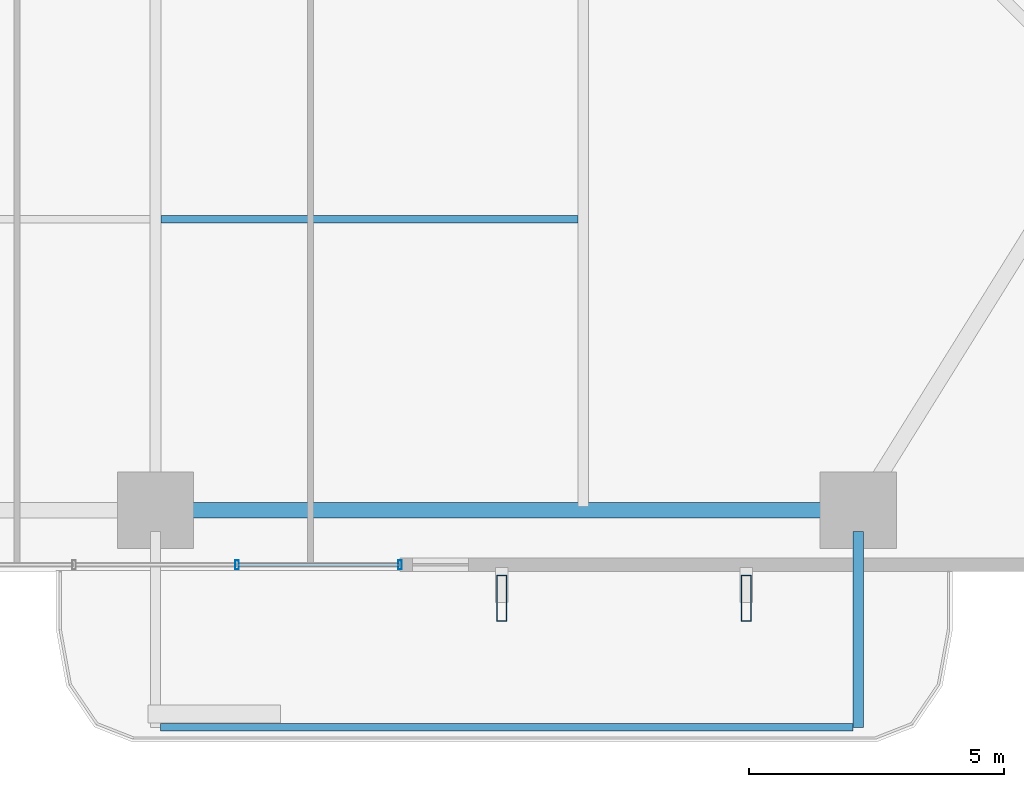
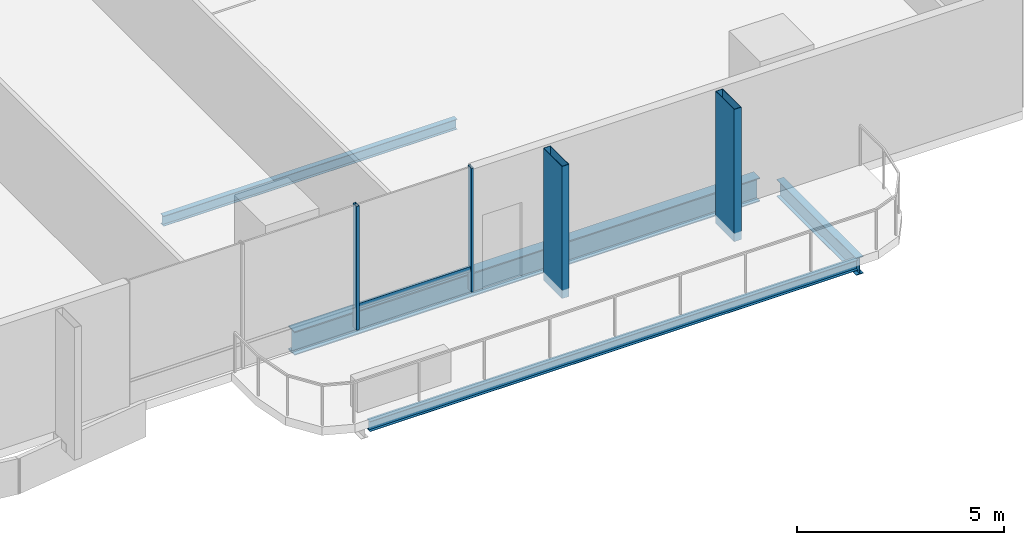
# One storey, part 6 of 24: 5 members, 4 beams, 1 element without a shape of its own.
"""IFC4 building model written with IfcOpenShell, lengths in metres."""

from ifc_helpers import new_model, si_unit, direction, frame, origin, origin_2d, place, context, subcontext, project, spatial, hollow_rectangle, i_section, extrude, material, layer, layer_set, material_profile, profile_set, type_object, element, aggregate, save


model = new_model("IFC4")

# Units and contexts
model_context = context("Model", 3, precision=1e-05, world=origin(), true_north=direction((0.0, 1.0)))
body_context = subcontext(model_context, "Body", "Model", "MODEL_VIEW")
ifc_project = project(units=[si_unit("LENGTHUNIT", "METRE"), si_unit("AREAUNIT", "SQUARE_METRE"), si_unit("VOLUMEUNIT", "CUBIC_METRE"), si_unit("PLANEANGLEUNIT", "RADIAN"), si_unit("MASSUNIT", "GRAM", prefix="KILO")], contexts=[model_context])

# Site, building, storey
site_placement = place(None, origin())
site = spatial("IfcSite", under=ifc_project, at=site_placement, CompositionType="ELEMENT")
building_placement = place(site_placement, origin())
building = spatial("IfcBuilding", under=site, at=building_placement, Name="Belovzor Exchange Tower", CompositionType="ELEMENT")
storey_placement = place(building_placement, frame((0.0, 0.0, 96.300048828125)))
storey = spatial("IfcBuildingStorey", under=building, at=storey_placement, Name="L23", CompositionType="ELEMENT", Elevation=96.300048828125)

# Beams
ifc_material_1 = material(Name="Steel S355", Category="steel")
ifc_material_profile_1 = material_profile(ifc_material_1, i_section(OverallWidth=0.199951171875, OverallDepth=0.5, WebThickness=0.01025390625, FlangeThickness=0.01611328125, at=origin_2d()))
ifc_profile_set_1 = profile_set([ifc_material_profile_1], Name="Steel S355")
beam_type_1 = type_object("IfcBeamType", Name="Planted Balcony Cantilever Beam IPE 500", PredefinedType="BEAM", material=ifc_profile_set_1)
beam_1_placement = place(storey_placement, frame((42.60009765625, 1.68798828125, -0.5), z_axis=(0.0, -1.0, 0.0), x_axis=(1.0, 0.0, 0.0)))
element("IfcBeam", 1, at=beam_1_placement, inside=storey, type_object=beam_type_1, Name="BC-500 Planted Balcony Cantilever Beam IPE 500", PredefinedType="BEAM", context=body_context, shape_type="SweptSolid", body=[
    extrude(i_section(OverallWidth=0.199951171875, OverallDepth=0.5, WebThickness=0.01025390625, FlangeThickness=0.01611328125, at=origin_2d()), origin(), (0.0, 0.0, 1.0), 3.85009765625),
])
ifc_material_2 = material(Name="Steel S355", Category="steel")
ifc_material_profile_2 = material_profile(ifc_material_2, i_section(OverallWidth=0.14990234375, OverallDepth=0.300048828125, WebThickness=0.007080078125, FlangeThickness=0.0107421875, at=origin_2d()))
ifc_profile_set_2 = profile_set([ifc_material_profile_2], Name="Steel S355")
beam_type_2 = type_object("IfcBeamType", Name="Planted Balcony Fascia Edge Beam IPE 300", PredefinedType="BEAM", material=ifc_profile_set_2)
beam_2_placement = place(storey_placement, frame((28.89990234375, -2.162109375, -0.400146484375), z_axis=(1.0, 0.0, 0.0), x_axis=(0.0, 1.0, 0.0)))
element("IfcBeam", 2, at=beam_2_placement, inside=storey, type_object=beam_type_2, Name="BC-300 Planted Balcony Fascia Edge Beam IPE 300", PredefinedType="BEAM", context=body_context, shape_type="SweptSolid", body=[
    extrude(i_section(OverallWidth=0.14990234375, OverallDepth=0.300048828125, WebThickness=0.007080078125, FlangeThickness=0.0107421875, at=origin_2d()), origin(), (0.0, 0.0, 1.0), 13.60009765625),
])
ifc_material_3 = material(Name="Steel S355", Category="steel")
ifc_material_profile_3 = material_profile(ifc_material_3, i_section(OverallWidth=0.14990234375, OverallDepth=0.300048828125, WebThickness=0.007080078125, FlangeThickness=0.0107421875, at=origin_2d()))
ifc_profile_set_3 = profile_set([ifc_material_profile_3], Name="Steel S355")
beam_type_3 = type_object("IfcBeamType", Name="Secondary Trim Floor Joist IPE 300", PredefinedType="BEAM", material=ifc_profile_set_3)
beam_3_placement = place(storey_placement, frame((28.905029296875, 7.81494140625, -0.400146484375), z_axis=(1.0, 0.0, 0.0), x_axis=(0.0, 1.0, 0.0)))
element("IfcBeam", 3, at=beam_3_placement, inside=storey, type_object=beam_type_3, Name="FJ-300 Secondary Trim Floor Joist IPE 300", PredefinedType="BEAM", context=body_context, shape_type="SweptSolid", body=[
    extrude(i_section(OverallWidth=0.14990234375, OverallDepth=0.300048828125, WebThickness=0.007080078125, FlangeThickness=0.0107421875, at=origin_2d()), origin(), (0.0, 0.0, 1.0), 8.18994140625),
])

# Members
ifc_material_4 = material(Name="Extruded Architectural Terracotta on Steel S355 Carrier", Category="masonry")
ifc_material_profile_4 = material_profile(ifc_material_4, hollow_rectangle(XDim=0.199951171875, YDim=0.89990234375, WallThickness=0.011962890625, at=origin_2d()))
ifc_profile_set_4 = profile_set([ifc_material_profile_4], Name="Extruded Architectural Terracotta on Steel S355 Carrier")
member_type_1 = type_object("IfcMemberType", Name="Sweeping Terracotta Baguette Fin Assembly 1250", PredefinedType="USERDEFINED", material=ifc_profile_set_4)
for number, where, z_axis, x_axis, name in (
    (4, (35.60009765625, 0.375, -0.25), (0.0, 0.0, 1.0), (1.0, 0.0, 0.0), "FIN-TC125 Terracotta Facade Fin L23 S3"),
    (5, (40.39990234375, 0.375, -0.25), (0.0, 0.0, 1.0), (1.0, 0.0, 0.0), "FIN-TC125 Terracotta Facade Fin L23 S4"),
):
    element("IfcMember", number, at=place(storey_placement, frame(where, z_axis=z_axis, x_axis=x_axis)), inside=storey, type_object=member_type_1, Name=name, ObjectType="FIN", PredefinedType="USERDEFINED", context=body_context, shape_type="SweptSolid", body=[
        extrude(hollow_rectangle(XDim=0.199951171875, YDim=0.89990234375, WallThickness=0.011962890625, at=origin_2d()), origin(), (0.0, 0.0, 1.0), 3.89990234375),
    ])

# Curtain wall, members
ifc_material_5 = material(Name="Anodised Aluminium Framing", Category="aluminium")
ifc_layer = layer(ifc_material_5, 0.179931640625)
ifc_layer_set = layer_set([ifc_layer], Name="Anodised Aluminium Framing")
curtain_wall_type = type_object("IfcCurtainWallType", Name="Recessed Loggia Low-Iron Triple-Glazed Curtain Wall", PredefinedType="NOTDEFINED", material=ifc_layer_set)
curtain_wall_placement = place(storey_placement, origin())
curtain_wall = element("IfcCurtainWall", 6, at=curtain_wall_placement, inside=storey, type_object=curtain_wall_type, Name="CW3 Recessed Loggia Low-Iron Triple-Glazed Curtain Wall L23", PredefinedType="NOTDEFINED")
ifc_material_6 = material(Name="Steel S355", Category="steel")
ifc_material_profile_5 = material_profile(ifc_material_6, hollow_rectangle(XDim=0.074951171875, YDim=0.179931640625, WallThickness=0.0048828125, at=origin_2d()))
ifc_profile_set_5 = profile_set([ifc_material_profile_5], Name="Steel S355")
member_type_2 = type_object("IfcMemberType", Name="Thermally Broken Curtain Wall Mullion 180x75", PredefinedType="MULLION", material=ifc_profile_set_5)
member_1_placement = place(storey_placement, frame((33.60009765625, 1.030029296875, 0.0), z_axis=(0.0, 0.0, 1.0), x_axis=(-1.0, 0.0, 0.0)))
member_1 = element("IfcMember", 7, at=member_1_placement, type_object=member_type_2, Name="CW-M180 Curtain Wall Mullion 1", PredefinedType="MULLION", context=body_context, shape_type="SweptSolid", body=[
    extrude(hollow_rectangle(XDim=0.074951171875, YDim=0.179931640625, WallThickness=0.0048828125, at=origin_2d()), origin(), (0.0, 0.0, 1.0), 3.64990234375),
])
member_2_placement = place(storey_placement, frame((30.39990234375, 1.030029296875, 0.0), z_axis=(0.0, 0.0, 1.0), x_axis=(-1.0, 0.0, 0.0)))
member_2 = element("IfcMember", 8, at=member_2_placement, type_object=member_type_2, Name="CW-M180 Curtain Wall Mullion 2", PredefinedType="MULLION", context=body_context, shape_type="SweptSolid", body=[
    extrude(hollow_rectangle(XDim=0.074951171875, YDim=0.179931640625, WallThickness=0.0048828125, at=origin_2d()), origin(), (0.0, 0.0, 1.0), 3.64990234375),
])
ifc_material_7 = material(Name="Steel S355", Category="steel")
ifc_material_profile_6 = material_profile(ifc_material_7, hollow_rectangle(XDim=0.06005859375, YDim=0.14990234375, WallThickness=0.00390625, at=origin_2d()))
ifc_profile_set_6 = profile_set([ifc_material_profile_6], Name="Steel S355")
member_type_3 = type_object("IfcMemberType", Name="Thermally Broken Curtain Wall Transom 150x60", PredefinedType="USERDEFINED", material=ifc_profile_set_6)
member_3_placement = place(storey_placement, frame((33.592041015625, 1.030029296875, 0.64990234375), z_axis=(-1.0, 0.0, 0.0), x_axis=(0.0, -1.0, 0.0)))
member_3 = element("IfcMember", 9, at=member_3_placement, type_object=member_type_3, Name="CW-T150 Curtain Wall Transom 1", ObjectType="TRANSOM", PredefinedType="USERDEFINED", context=body_context, shape_type="SweptSolid", body=[
    extrude(hollow_rectangle(XDim=0.06005859375, YDim=0.14990234375, WallThickness=0.00390625, at=origin_2d()), origin(), (0.0, 0.0, 1.0), 3.18408203125),
])
aggregate(curtain_wall, [member_1, member_2, member_3])

# Beam
ifc_material_8 = material(Name="Steel S355", Category="steel")
ifc_material_profile_7 = material_profile(ifc_material_8, i_section(OverallWidth=0.300048828125, OverallDepth=0.699951171875, WebThickness=0.01708984375, FlangeThickness=0.031982421875, at=origin_2d()))
ifc_profile_set_7 = profile_set([ifc_material_profile_7], Name="Steel S355")
beam_type_4 = type_object("IfcBeamType", Name="Zone 1 Primary Perimeter Girder HEB 700", PredefinedType="BEAM", material=ifc_profile_set_7)
beam_4_placement = place(storey_placement, frame((29.212890625, 2.10009765625, -0.60009765625), z_axis=(1.0, 0.0, 0.0), x_axis=(0.0, 1.0, 0.0)))
element("IfcBeam", 10, at=beam_4_placement, inside=storey, type_object=beam_type_4, Name="FG-Z1 Zone 1 Primary Perimeter Girder HEB 700", PredefinedType="BEAM", context=body_context, shape_type="SweptSolid", body=[
    extrude(i_section(OverallWidth=0.300048828125, OverallDepth=0.699951171875, WebThickness=0.01708984375, FlangeThickness=0.031982421875, at=origin_2d()), origin(), (0.0, 0.0, 1.0), 12.97509765625),
])

save(model, "model.ifc")
